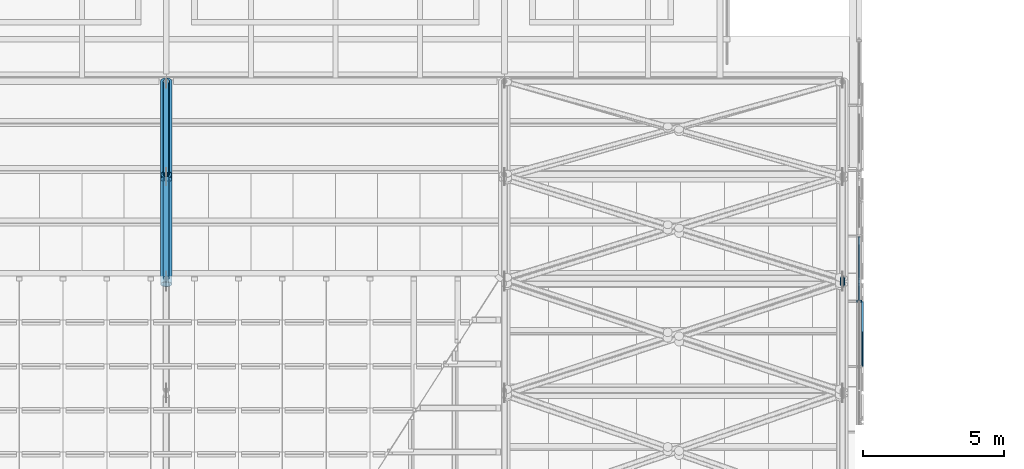
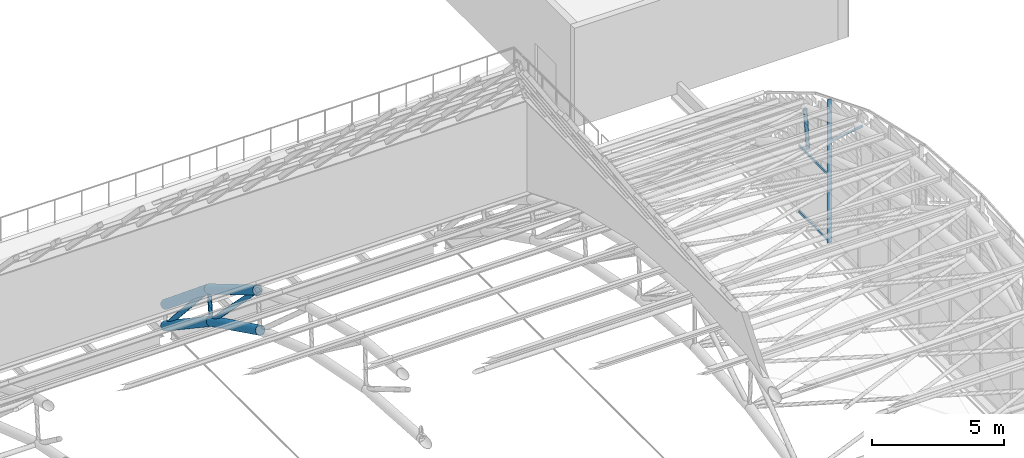
# One storey, part 40 of 110: 12 members, 1 element without a shape of its own.
"""IFC4 building model written with IfcOpenShell, lengths in metres."""

import ifcopenshell
import ifcopenshell.guid

model = None  # the IFC model being written
_history = None  # IfcOwnerHistory: only IFC2X3 demands one
_inside = {}  # id of a spatial element -> (the spatial element, [elements in it])
_under = {}  # id of a project, library or spatial element -> (it, [spatial elements below it])
_declared = {}  # id of a project -> (the project, [libraries it declares])
_typed = {}  # id of a type object -> (the type object, [elements of that type])
_made_of = {}  # id of a material, layer set ... -> (it, [elements and type objects made of it])


def new_model(schema):
    """Start an empty IFC model of exactly this schema.

    Asked for "IFC4X3", IfcOpenShell would pick the latest addendum, in which some entities
    have other attributes; the version numbers below select the first issue.
    IFC2X3 requires an IfcOwnerHistory on every rooted entity: one is made here for all.
    """
    global model, _history
    if schema == "IFC4X3":
        model = ifcopenshell.file(schema_version=(4, 3, 0, 0))
    else:
        model = ifcopenshell.file(schema=schema)
    _inside.clear()
    _under.clear()
    _declared.clear()
    _typed.clear()
    _made_of.clear()
    _history = None
    if model.schema == "IFC2X3":
        org = make("IfcOrganization", Name="unknown")
        user = make(
            "IfcPersonAndOrganization",
            ThePerson=make("IfcPerson", FamilyName="unknown"),
            TheOrganization=org,
        )
        app = make(
            "IfcApplication",
            ApplicationDeveloper=org,
            Version="unknown",
            ApplicationFullName="unknown",
            ApplicationIdentifier="unknown",
        )
        _history = make(
            "IfcOwnerHistory",
            OwningUser=user,
            OwningApplication=app,
            ChangeAction="ADDED",
            CreationDate=0,
        )
    return model


def make(cls, **values):
    """One entity of the class cls with the attributes given. An attribute that is None is left unset."""
    return model.create_entity(
        cls, **{name: value for name, value in values.items() if value is not None}
    )


def rooted(cls, **values):
    """An entity with a GlobalId (a new one), such as an element, a storey or a relation."""
    return make(cls, GlobalId=ifcopenshell.guid.new(), OwnerHistory=_history, **values)


def si_unit(unit_type, name, prefix=None):
    """IfcSIUnit, for example si_unit("LENGTHUNIT", "METRE", prefix="MILLI")."""
    return make("IfcSIUnit", UnitType=unit_type, Prefix=prefix, Name=name)


def assignment(units):
    """IfcUnitAssignment: the units of a project."""
    return None if units is None else make("IfcUnitAssignment", Units=units)


def point(xyz):
    """IfcCartesianPoint."""
    return None if xyz is None else make("IfcCartesianPoint", Coordinates=xyz)


def direction(xyz):
    """IfcDirection."""
    return None if xyz is None else make("IfcDirection", DirectionRatios=xyz)


def frame(location, z_axis=None, x_axis=None):
    """IfcAxis2Placement3D, a coordinate frame: its origin and axes. An axis left out is left unset."""
    return make(
        "IfcAxis2Placement3D",
        Location=point(location),
        Axis=direction(z_axis),
        RefDirection=direction(x_axis),
    )


def frame_2d(location, x_axis=None):
    """IfcAxis2Placement2D, a coordinate frame in the plane: its origin and x axis."""
    return make(
        "IfcAxis2Placement2D", Location=point(location), RefDirection=direction(x_axis)
    )


def origin():
    """The frame at (0, 0, 0) with its axes left unset."""
    return frame((0.0, 0.0, 0.0))


def origin_2d():
    """The frame at (0, 0) in the plane with its x axis left unset."""
    return frame_2d((0.0, 0.0))


def place(relative_to, where):
    """IfcLocalPlacement: puts the frame where relative to a parent placement (None: the world)."""
    return make(
        "IfcLocalPlacement", PlacementRelTo=relative_to, RelativePlacement=where
    )


def context(
    kind, dimensions, precision=None, world=None, true_north=None, identifier=None
):
    """IfcGeometricRepresentationContext, for example the 3D "Model" context."""
    return make(
        "IfcGeometricRepresentationContext",
        ContextIdentifier=identifier,
        ContextType=kind,
        CoordinateSpaceDimension=dimensions,
        Precision=precision,
        WorldCoordinateSystem=world,
        TrueNorth=true_north,
    )


def subcontext(parent, identifier, kind, view, scale=None):
    """IfcGeometricRepresentationSubContext, for example "Body" below "Model"."""
    return make(
        "IfcGeometricRepresentationSubContext",
        ContextIdentifier=identifier,
        ContextType=kind,
        ParentContext=parent,
        TargetScale=scale,
        TargetView=view,
    )


def project(units=None, contexts=None):
    """IfcProject with its units and contexts."""
    return rooted(
        "IfcProject",
        Name="project",
        RepresentationContexts=contexts,
        UnitsInContext=assignment(units),
    )


def spatial(cls, under=None, at=None, **own):
    """A site, building, storey or space (cls), placed at a placement, below another one or the project."""
    s = rooted(cls, ObjectPlacement=at, **own)
    if under is not None:
        _under.setdefault(under.id(), (under, []))[1].append(s)
    return s


def profile(cls, at=None, kind="AREA", **sizes):
    """A parametric profile (cls). Its sizes go by their IFC names, for example OverallWidth=200.0."""
    return make(cls, ProfileType=kind, Position=at, **sizes)


def rectangle(**sizes):
    """IfcRectangleProfileDef."""
    return profile("IfcRectangleProfileDef", **sizes)


def hollow_circle(**sizes):
    """IfcCircleHollowProfileDef."""
    return profile("IfcCircleHollowProfileDef", **sizes)


def extrude(swept, where, along, depth):
    """IfcExtrudedAreaSolid: the profile swept, set in the frame where, extruded along a direction by depth."""
    return make(
        "IfcExtrudedAreaSolid",
        SweptArea=swept,
        Position=where,
        ExtrudedDirection=direction(along),
        Depth=depth,
    )


def shape(context_of_items, identifier, shape_type, items):
    """IfcShapeRepresentation: the items that make up one representation, for example the "Body"."""
    return make(
        "IfcShapeRepresentation",
        ContextOfItems=context_of_items,
        RepresentationIdentifier=identifier,
        RepresentationType=shape_type,
        Items=items,
    )


def material(Name=None, Category=None):
    """IfcMaterial."""
    return make("IfcMaterial", Name=Name, Category=Category)


def layer(
    of_material, thickness, ventilated=None, Name=None, Category=None, Priority=None
):
    """IfcMaterialLayer: one layer of a wall or slab, of a material (None: an air gap)."""
    return make(
        "IfcMaterialLayer",
        Material=of_material,
        LayerThickness=thickness,
        IsVentilated=ventilated,
        Name=Name,
        Category=Category,
        Priority=Priority,
    )


def layer_set(layers, Name=None):
    """IfcMaterialLayerSet."""
    return make("IfcMaterialLayerSet", MaterialLayers=layers, LayerSetName=Name)


def material_profile(
    of_material, cross_section, Name=None, Category=None, Priority=None
):
    """IfcMaterialProfile: a cross section and its material."""
    return make(
        "IfcMaterialProfile",
        Name=Name,
        Material=of_material,
        Profile=cross_section,
        Priority=Priority,
        Category=Category,
    )


def profile_set(profiles, Name=None, composite=None):
    """IfcMaterialProfileSet."""
    return make(
        "IfcMaterialProfileSet",
        Name=Name,
        MaterialProfiles=profiles,
        CompositeProfile=composite,
    )


def made_of(thing, what):
    """Note that an element or type object is made of a material, layer set ...; save() writes the relation."""
    if what is not None:
        _made_of.setdefault(what.id(), (what, []))[1].append(thing)
    return thing


def type_object(cls, material=None, **own):
    """A type object (cls), such as IfcWallType, which elements share."""
    return made_of(rooted(cls, **own), material)


def element(
    cls,
    number,
    at=None,
    inside=None,
    cuts=None,
    type_object=None,
    material=None,
    context=None,
    identifier="Body",
    shape_type=None,
    held_by="IfcProductDefinitionShape",
    body=None,
    shapes=None,
    **own,
):
    """One element of the class cls, such as IfcWall. Its Tag is "e" and its number.

    at: its placement. inside: the storey or other place that contains it. cuts: it is an
    opening in that element (IfcRelVoidsElement). A single representation is given by context,
    identifier, shape_type and body (its items); several are given by shapes. held_by: the class
    of the entity that holds the representations. save() writes the other relations.
    """
    e = rooted(cls, Tag="e%d" % number, ObjectPlacement=at, **own)
    if body is not None:
        shapes = [shape(context, identifier, shape_type, body)]
    if shapes is not None:
        e.Representation = make(held_by, Representations=shapes)
    if inside is not None:
        _inside.setdefault(inside.id(), (inside, []))[1].append(e)
    if cuts is not None:
        rooted(
            "IfcRelVoidsElement", RelatingBuildingElement=cuts, RelatedOpeningElement=e
        )
    if type_object is not None:
        _typed.setdefault(type_object.id(), (type_object, []))[1].append(e)
    return made_of(e, material)


def aggregate(whole, parts):
    """IfcRelAggregates: a whole, such as a stair, and the parts it consists of."""
    return rooted("IfcRelAggregates", RelatingObject=whole, RelatedObjects=parts)


def save(model, path):
    """Write the relations noted so far, then the file.

    IfcRelAggregates (storeys below a building ...), IfcRelContainedInSpatialStructure (elements
    in a storey), IfcRelDefinesByType, IfcRelAssociatesMaterial and IfcRelDeclares: one each for
    every whole, place, type object, material and project.
    """
    for whole, parts in _under.values():
        aggregate(whole, parts)
    for where, things in _inside.values():
        rooted(
            "IfcRelContainedInSpatialStructure",
            RelatedElements=things,
            RelatingStructure=where,
        )
    for kind, things in _typed.values():
        rooted("IfcRelDefinesByType", RelatedObjects=things, RelatingType=kind)
    for what, things in _made_of.values():
        rooted("IfcRelAssociatesMaterial", RelatedObjects=things, RelatingMaterial=what)
    for by, libraries in _declared.values():
        rooted("IfcRelDeclares", RelatingContext=by, RelatedDefinitions=libraries)
    model.write(path)


model = new_model("IFC4")

# Units and contexts
model_context = context("Model", 3, precision=1e-05, world=origin(), true_north=direction((0.0, 1.0)))
body_context = subcontext(model_context, "Body", "Model", "MODEL_VIEW")
ifc_project = project(units=[si_unit("LENGTHUNIT", "METRE"), si_unit("AREAUNIT", "SQUARE_METRE"), si_unit("VOLUMEUNIT", "CUBIC_METRE"), si_unit("PLANEANGLEUNIT", "RADIAN"), si_unit("MASSUNIT", "GRAM", prefix="KILO")], contexts=[model_context])

# Site, building, storey
site_placement = place(None, origin())
site = spatial("IfcSite", under=ifc_project, at=site_placement, CompositionType="ELEMENT")
building_placement = place(site_placement, origin())
building = spatial("IfcBuilding", under=site, at=building_placement, Name="Windward Yard Aquatics Centre", CompositionType="ELEMENT")
storey_placement = place(building_placement, frame((0.0, 0.0, 22.60009765625)))
storey = spatial("IfcBuildingStorey", under=building, at=storey_placement, Name="L05", CompositionType="ELEMENT", Elevation=22.60009765625)

# Curtain wall, members
ifc_material_1 = material(Name="Glass and aluminium curtain wall", Category="aluminium")
ifc_layer = layer(ifc_material_1, 0.179931640625)
ifc_layer_set = layer_set([ifc_layer], Name="H gable glazing system double glazed 8+16+8")
curtain_wall_type = type_object("IfcCurtainWallType", Name="H gable glazing system double glazed 8+16+8", PredefinedType="NOTDEFINED", material=ifc_layer_set)
curtain_wall_placement = place(storey_placement, origin())
curtain_wall = element("IfcCurtainWall", 1, at=curtain_wall_placement, inside=storey, type_object=curtain_wall_type, Name="Gable glazing E", PredefinedType="NOTDEFINED")
ifc_material_2 = material(Name="Aluminium 6063-T6 anodised", Category="aluminium")
ifc_material_profile_1 = material_profile(ifc_material_2, rectangle(XDim=0.06494140625, YDim=0.179931640625, at=origin_2d()), Name="H CW mullion 65x180")
ifc_profile_set_1 = profile_set([ifc_material_profile_1], Name="Aluminium 6063-T6 anodised")
member_type_1 = type_object("IfcMemberType", Name="H CW mullion 65x180", PredefinedType="MULLION", material=ifc_profile_set_1)
member_1_placement = place(storey_placement, frame((144.590087890625, 72.59619140625, 0.0), z_axis=(0.0, 0.0, 1.0), x_axis=(0.0, 1.0, 0.0)))
member_1 = element("IfcMember", 2, at=member_1_placement, type_object=member_type_1, Name="Gable mullion 15", PredefinedType="MULLION", context=body_context, shape_type="SweptSolid", body=[
    extrude(rectangle(XDim=0.06494140625, YDim=0.179931640625, at=origin_2d()), origin(), (0.0, 0.0, 1.0), 6.629150390625),
])
ifc_material_profile_2 = material_profile(ifc_material_2, rectangle(XDim=0.06494140625, YDim=0.10009765625, at=origin_2d()), Name="H CW transom 65x100")
ifc_profile_set_2 = profile_set([ifc_material_profile_2], Name="Aluminium 6063-T6 anodised")
member_type_2 = type_object("IfcMemberType", Name="H CW transom 65x100", PredefinedType="USERDEFINED", material=ifc_profile_set_2)
member_2_placement = place(storey_placement, frame((144.590087890625, 72.628662109375, 0.0498046875), z_axis=(0.0, 1.0, 0.0), x_axis=(-1.0, 0.0, 0.0)))
member_2 = element("IfcMember", 3, at=member_2_placement, type_object=member_type_2, Name="Gable transom 15.1", ObjectType="TRANSOM", PredefinedType="USERDEFINED", context=body_context, shape_type="SweptSolid", body=[
    extrude(rectangle(XDim=0.06494140625, YDim=0.10009765625, at=origin_2d()), origin(), (0.0, 0.0, 1.0), 2.254150390625),
])
member_3_placement = place(storey_placement, frame((144.590087890625, 72.628662109375, 3.099853515625), z_axis=(0.0, 1.0, 0.0), x_axis=(-1.0, 0.0, 0.0)))
member_3 = element("IfcMember", 4, at=member_3_placement, type_object=member_type_2, Name="Gable transom 15.2", ObjectType="TRANSOM", PredefinedType="USERDEFINED", context=body_context, shape_type="SweptSolid", body=[
    extrude(rectangle(XDim=0.06494140625, YDim=0.10009765625, at=origin_2d()), origin(), (0.0, 0.0, 1.0), 2.254150390625),
])
member_4_placement = place(storey_placement, frame((144.71240234375, 70.309326171875, 6.724365234375), z_axis=(0.0, 0.748615772078, -0.66300409184), x_axis=(-1.0, 0.0, 0.0)))
member_4 = element("IfcMember", 5, at=member_4_placement, type_object=member_type_2, Name="Gable cover strip 8.2", ObjectType="COVER STRIP", PredefinedType="USERDEFINED", context=body_context, shape_type="SweptSolid", body=[
    extrude(rectangle(XDim=0.06494140625, YDim=0.10009765625, at=origin_2d()), origin(), (0.0, 0.0, 1.0), 3.011474609375),
])
aggregate(curtain_wall, [member_1, member_2, member_3, member_4])

# Members
ifc_material_3 = material(Name="Steel ASTM A500 Gr C", Category="steel")
ifc_material_profile_3 = material_profile(ifc_material_3, hollow_circle(Radius=0.084228515625, WallThickness=0.010986328125, at=origin_2d()), Name="HSS168.3X11")
ifc_profile_set_3 = profile_set([ifc_material_profile_3], Name="Steel ASTM A500 Gr C")
member_type_3 = type_object("IfcMemberType", Name="H arch post HSS168.3X11", PredefinedType="POST", material=ifc_profile_set_3)
member_5_placement = place(storey_placement, frame((120.0, 76.935302734375, 2.319580078125), z_axis=(0.0, 0.111745510026, 0.993736857015), x_axis=(-1.0, 0.0, 0.0)))
element("IfcMember", 6, at=member_5_placement, inside=storey, type_object=member_type_3, Name="H.AT.6.WP10", PredefinedType="POST", context=body_context, shape_type="SweptSolid", body=[
    extrude(hollow_circle(Radius=0.084228515625, WallThickness=0.010986328125, at=origin_2d()), origin(), (0.0, 0.0, 1.0), 1.406982421875),
])
member_6_placement = place(storey_placement, frame((144.0, 73.197265625, 4.16650390625), z_axis=(0.0, 0.121591772527, 0.992580193664), x_axis=(-1.0, 0.0, 0.0)))
element("IfcMember", 7, at=member_6_placement, inside=storey, type_object=member_type_3, Name="H.AT.8.WP09", PredefinedType="POST", context=body_context, shape_type="SweptSolid", body=[
    extrude(hollow_circle(Radius=0.084228515625, WallThickness=0.010986328125, at=origin_2d()), origin(), (0.0, 0.0, 1.0), 1.746826171875),
])
ifc_material_profile_4 = material_profile(ifc_material_3, hollow_circle(Radius=0.203125, WallThickness=0.015869140625, at=origin_2d()), Name="HSS406.4X15.9")
ifc_profile_set_4 = profile_set([ifc_material_profile_4], Name="Steel ASTM A500 Gr C")
member_type_4 = type_object("IfcMemberType", Name="H arch top chord HSS406.4X15.9", PredefinedType="CHORD", material=ifc_profile_set_4)
member_7_placement = place(storey_placement, frame((120.0, 73.40966796875, 5.900390625), z_axis=(0.0, 0.860273006082, -0.509833654251), x_axis=(-1.0, 0.0, 0.0)))
element("IfcMember", 8, at=member_7_placement, inside=storey, type_object=member_type_4, Name="H.AT.6.TC09", PredefinedType="CHORD", context=body_context, shape_type="SweptSolid", body=[
    extrude(hollow_circle(Radius=0.203125, WallThickness=0.015869140625, at=origin_2d()), origin(), (0.0, 0.0, 1.0), 4.281005859375),
])
member_8_placement = place(storey_placement, frame((120.0, 73.197265625, 4.16650390625), z_axis=(0.0, 0.896536837976, -0.4429691842), x_axis=(-1.0, 0.0, 0.0)))
element("IfcMember", 9, at=member_8_placement, inside=storey, type_object=member_type_4, Name="H.AT.6.BC09", PredefinedType="CHORD", context=body_context, shape_type="SweptSolid", body=[
    extrude(hollow_circle(Radius=0.203125, WallThickness=0.015869140625, at=origin_2d()), origin(), (0.0, 0.0, 1.0), 4.16943359375),
])
member_9_placement = place(storey_placement, frame((120.0, 77.092529296875, 3.7177734375), z_axis=(0.0, 0.772611352747, -0.634879277979), x_axis=(-1.0, 0.0, 0.0)))
element("IfcMember", 10, at=member_9_placement, inside=storey, type_object=member_type_4, Name="H.AT.6.TC10", PredefinedType="CHORD", context=body_context, shape_type="SweptSolid", body=[
    extrude(hollow_circle(Radius=0.203125, WallThickness=0.015869140625, at=origin_2d()), origin(), (0.0, 0.0, 1.0), 4.28076171875),
])
member_10_placement = place(storey_placement, frame((120.0, 76.935302734375, 2.319580078125), z_axis=(0.0, 0.83095865789, -0.556334170151), x_axis=(-1.0, 0.0, 0.0)))
element("IfcMember", 11, at=member_10_placement, inside=storey, type_object=member_type_4, Name="H.AT.6.BC10", PredefinedType="CHORD", context=body_context, shape_type="SweptSolid", body=[
    extrude(hollow_circle(Radius=0.203125, WallThickness=0.015869140625, at=origin_2d()), origin(), (0.0, 0.0, 1.0), 4.16943359375),
])
ifc_material_profile_5 = material_profile(ifc_material_3, hollow_circle(Radius=0.109619140625, WallThickness=0.00830078125, at=origin_2d()), Name="HSS219.1X8.2")
ifc_profile_set_5 = profile_set([ifc_material_profile_5], Name="Steel ASTM A500 Gr C")
member_type_5 = type_object("IfcMemberType", Name="H arch web diagonal HSS219.1X8.2", PredefinedType="BRACE", material=ifc_profile_set_5)
member_11_placement = place(storey_placement, frame((120.0, 73.40966796875, 5.900390625), z_axis=(0.0, 0.701595524129, -0.712575413919), x_axis=(-1.0, 0.0, 0.0)))
element("IfcMember", 12, at=member_11_placement, inside=storey, type_object=member_type_5, Name="H.AT.6.WD09", PredefinedType="BRACE", context=body_context, shape_type="SweptSolid", body=[
    extrude(hollow_circle(Radius=0.109619140625, WallThickness=0.00830078125, at=origin_2d()), origin(), (0.0, 0.0, 1.0), 5.025146484375),
])
member_12_placement = place(storey_placement, frame((120.0, 77.092529296875, 3.7177734375), z_axis=(0.0, 0.664665272452, -0.747141268835), x_axis=(-1.0, 0.0, 0.0)))
element("IfcMember", 13, at=member_12_placement, inside=storey, type_object=member_type_5, Name="H.AT.6.WD10", PredefinedType="BRACE", context=body_context, shape_type="SweptSolid", body=[
    extrude(hollow_circle(Radius=0.109619140625, WallThickness=0.00830078125, at=origin_2d()), origin(), (0.0, 0.0, 1.0), 4.97607421875),
])

save(model, "model.ifc")
